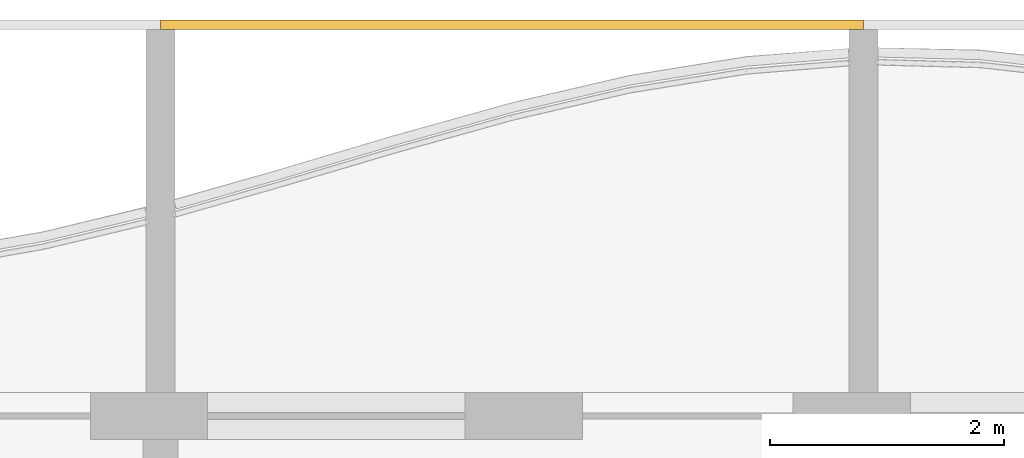
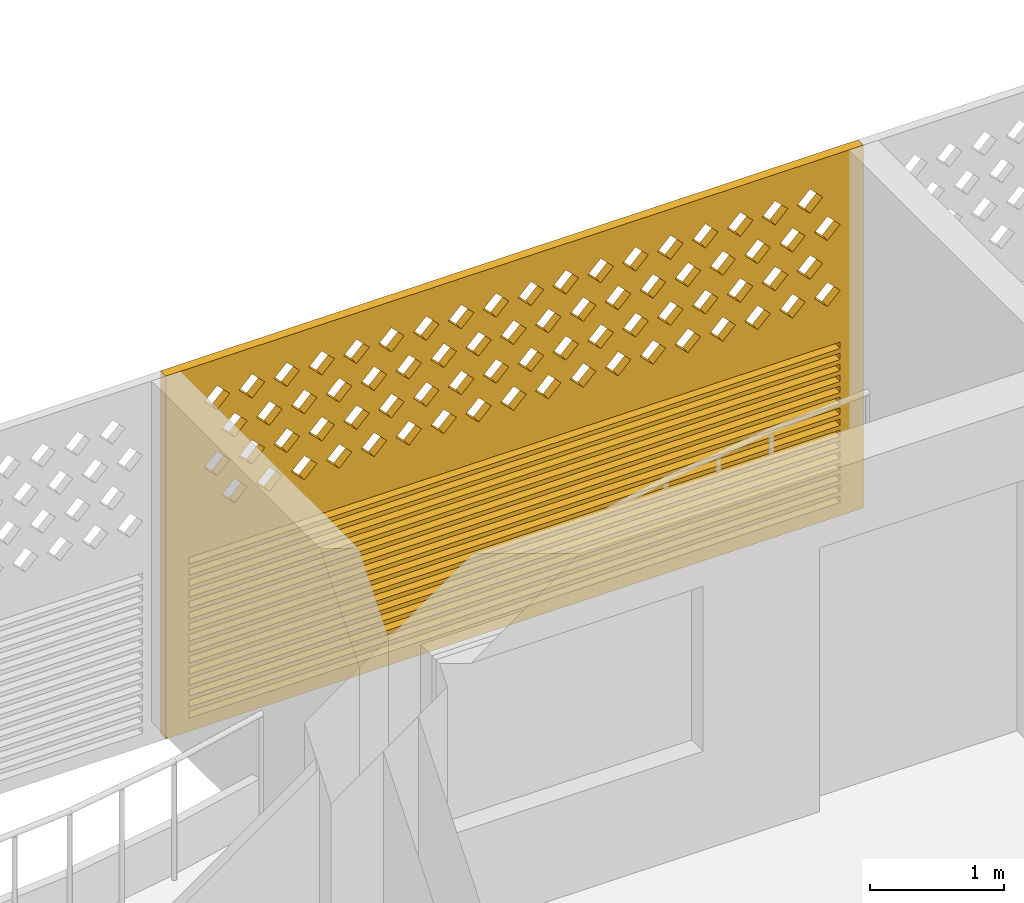
# One storey, part 22 of 32: 1 covering.
"""IFC4 building model written with IfcOpenShell, lengths in metres."""

from ifc_helpers import new_model, si_unit, direction, frame, origin, place, context, subcontext, project, spatial, polyline, outline, extrude, source, transform, mapped, material, material_profile, profile_set, type_object, element, save


model = new_model("IFC4")

# Units and contexts
model_context = context("Model", 3, precision=1e-05, world=origin(), true_north=direction((0.0, 1.0)))
body_context = subcontext(model_context, "Body", "Model", "MODEL_VIEW")
ifc_project = project(units=[si_unit("LENGTHUNIT", "METRE"), si_unit("AREAUNIT", "SQUARE_METRE"), si_unit("VOLUMEUNIT", "CUBIC_METRE"), si_unit("PLANEANGLEUNIT", "RADIAN"), si_unit("MASSUNIT", "GRAM", prefix="KILO")], contexts=[model_context])

# Site, building, storey
site_placement = place(None, origin())
site = spatial("IfcSite", under=ifc_project, at=site_placement, CompositionType="ELEMENT")
building_placement = place(site_placement, origin())
building = spatial("IfcBuilding", under=site, at=building_placement, Name="Poui Terraces", CompositionType="ELEMENT")
storey_placement = place(building_placement, frame((0.0, 0.0, 129.0)))
storey = spatial("IfcBuildingStorey", under=building, at=storey_placement, Name="L35", CompositionType="ELEMENT", Elevation=129.0)

# Covering
ifc_material = material(Name="Terracotta screen", Category="masonry")
ifc_material_profile = material_profile(ifc_material, outline(polyline([(-3.0, -1.64990234375), (3.0, -1.64990234375), (3.0, 1.64990234375), (-3.0, 1.64990234375), (-3.0, -1.64990234375)]), holes=[polyline([(-2.800048828125, 0.39990234375), (-2.68994140625, 0.2900390625), (-2.580078125, 0.39990234375), (-2.68994140625, 0.510009765625), (-2.800048828125, 0.39990234375)]), polyline([(-2.5, 0.39990234375), (-2.389892578125, 0.2900390625), (-2.280029296875, 0.39990234375), (-2.389892578125, 0.510009765625), (-2.5, 0.39990234375)]), polyline([(-2.199951171875, 0.39990234375), (-2.090087890625, 0.2900390625), (-1.97998046875, 0.39990234375), (-2.090087890625, 0.510009765625), (-2.199951171875, 0.39990234375)]), polyline([(-1.89990234375, 0.39990234375), (-1.7900390625, 0.2900390625), (-1.679931640625, 0.39990234375), (-1.7900390625, 0.510009765625), (-1.89990234375, 0.39990234375)]), polyline([(-1.60009765625, 0.39990234375), (-1.489990234375, 0.2900390625), (-1.3798828125, 0.39990234375), (-1.489990234375, 0.510009765625), (-1.60009765625, 0.39990234375)]), polyline([(-1.300048828125, 0.39990234375), (-1.18994140625, 0.2900390625), (-1.080078125, 0.39990234375), (-1.18994140625, 0.510009765625), (-1.300048828125, 0.39990234375)]), polyline([(-1.0, 0.39990234375), (-0.889892578125, 0.2900390625), (-0.780029296875, 0.39990234375), (-0.889892578125, 0.510009765625), (-1.0, 0.39990234375)]), polyline([(-0.699951171875, 0.39990234375), (-0.590087890625, 0.2900390625), (-0.47998046875, 0.39990234375), (-0.590087890625, 0.510009765625), (-0.699951171875, 0.39990234375)]), polyline([(-0.39990234375, 0.39990234375), (-0.2900390625, 0.2900390625), (-0.179931640625, 0.39990234375), (-0.2900390625, 0.510009765625), (-0.39990234375, 0.39990234375)]), polyline([(-0.10009765625, 0.39990234375), (0.010009765625, 0.2900390625), (0.1201171875, 0.39990234375), (0.010009765625, 0.510009765625), (-0.10009765625, 0.39990234375)]), polyline([(0.199951171875, 0.39990234375), (0.31005859375, 0.2900390625), (0.419921875, 0.39990234375), (0.31005859375, 0.510009765625), (0.199951171875, 0.39990234375)]), polyline([(0.5, 0.39990234375), (0.610107421875, 0.2900390625), (0.719970703125, 0.39990234375), (0.610107421875, 0.510009765625), (0.5, 0.39990234375)]), polyline([(0.800048828125, 0.39990234375), (0.909912109375, 0.2900390625), (1.02001953125, 0.39990234375), (0.909912109375, 0.510009765625), (0.800048828125, 0.39990234375)]), polyline([(1.10009765625, 0.39990234375), (1.2099609375, 0.2900390625), (1.320068359375, 0.39990234375), (1.2099609375, 0.510009765625), (1.10009765625, 0.39990234375)]), polyline([(1.39990234375, 0.39990234375), (1.510009765625, 0.2900390625), (1.6201171875, 0.39990234375), (1.510009765625, 0.510009765625), (1.39990234375, 0.39990234375)]), polyline([(1.699951171875, 0.39990234375), (1.81005859375, 0.2900390625), (1.919921875, 0.39990234375), (1.81005859375, 0.510009765625), (1.699951171875, 0.39990234375)]), polyline([(2.0, 0.39990234375), (2.110107421875, 0.2900390625), (2.219970703125, 0.39990234375), (2.110107421875, 0.510009765625), (2.0, 0.39990234375)]), polyline([(2.300048828125, 0.39990234375), (2.409912109375, 0.2900390625), (2.52001953125, 0.39990234375), (2.409912109375, 0.510009765625), (2.300048828125, 0.39990234375)]), polyline([(-2.64990234375, 0.699951171875), (-2.5400390625, 0.590087890625), (-2.429931640625, 0.699951171875), (-2.5400390625, 0.81005859375), (-2.64990234375, 0.699951171875)]), polyline([(-2.35009765625, 0.699951171875), (-2.239990234375, 0.590087890625), (-2.1298828125, 0.699951171875), (-2.239990234375, 0.81005859375), (-2.35009765625, 0.699951171875)]), polyline([(-2.050048828125, 0.699951171875), (-1.93994140625, 0.590087890625), (-1.830078125, 0.699951171875), (-1.93994140625, 0.81005859375), (-2.050048828125, 0.699951171875)]), polyline([(-1.75, 0.699951171875), (-1.639892578125, 0.590087890625), (-1.530029296875, 0.699951171875), (-1.639892578125, 0.81005859375), (-1.75, 0.699951171875)]), polyline([(-1.449951171875, 0.699951171875), (-1.340087890625, 0.590087890625), (-1.22998046875, 0.699951171875), (-1.340087890625, 0.81005859375), (-1.449951171875, 0.699951171875)]), polyline([(-1.14990234375, 0.699951171875), (-1.0400390625, 0.590087890625), (-0.929931640625, 0.699951171875), (-1.0400390625, 0.81005859375), (-1.14990234375, 0.699951171875)]), polyline([(-0.85009765625, 0.699951171875), (-0.739990234375, 0.590087890625), (-0.6298828125, 0.699951171875), (-0.739990234375, 0.81005859375), (-0.85009765625, 0.699951171875)]), polyline([(-0.550048828125, 0.699951171875), (-0.43994140625, 0.590087890625), (-0.330078125, 0.699951171875), (-0.43994140625, 0.81005859375), (-0.550048828125, 0.699951171875)]), polyline([(-0.25, 0.699951171875), (-0.139892578125, 0.590087890625), (-0.030029296875, 0.699951171875), (-0.139892578125, 0.81005859375), (-0.25, 0.699951171875)]), polyline([(0.050048828125, 0.699951171875), (0.159912109375, 0.590087890625), (0.27001953125, 0.699951171875), (0.159912109375, 0.81005859375), (0.050048828125, 0.699951171875)]), polyline([(0.35009765625, 0.699951171875), (0.4599609375, 0.590087890625), (0.570068359375, 0.699951171875), (0.4599609375, 0.81005859375), (0.35009765625, 0.699951171875)]), polyline([(0.64990234375, 0.699951171875), (0.760009765625, 0.590087890625), (0.8701171875, 0.699951171875), (0.760009765625, 0.81005859375), (0.64990234375, 0.699951171875)]), polyline([(0.949951171875, 0.699951171875), (1.06005859375, 0.590087890625), (1.169921875, 0.699951171875), (1.06005859375, 0.81005859375), (0.949951171875, 0.699951171875)]), polyline([(1.25, 0.699951171875), (1.360107421875, 0.590087890625), (1.469970703125, 0.699951171875), (1.360107421875, 0.81005859375), (1.25, 0.699951171875)]), polyline([(1.550048828125, 0.699951171875), (1.659912109375, 0.590087890625), (1.77001953125, 0.699951171875), (1.659912109375, 0.81005859375), (1.550048828125, 0.699951171875)]), polyline([(1.85009765625, 0.699951171875), (1.9599609375, 0.590087890625), (2.070068359375, 0.699951171875), (1.9599609375, 0.81005859375), (1.85009765625, 0.699951171875)]), polyline([(2.14990234375, 0.699951171875), (2.260009765625, 0.590087890625), (2.3701171875, 0.699951171875), (2.260009765625, 0.81005859375), (2.14990234375, 0.699951171875)]), polyline([(2.449951171875, 0.699951171875), (2.56005859375, 0.590087890625), (2.669921875, 0.699951171875), (2.56005859375, 0.81005859375), (2.449951171875, 0.699951171875)]), polyline([(-2.800048828125, 1.0), (-2.68994140625, 0.889892578125), (-2.580078125, 1.0), (-2.68994140625, 1.110107421875), (-2.800048828125, 1.0)]), polyline([(-2.5, 1.0), (-2.389892578125, 0.889892578125), (-2.280029296875, 1.0), (-2.389892578125, 1.110107421875), (-2.5, 1.0)]), polyline([(-2.199951171875, 1.0), (-2.090087890625, 0.889892578125), (-1.97998046875, 1.0), (-2.090087890625, 1.110107421875), (-2.199951171875, 1.0)]), polyline([(-1.89990234375, 1.0), (-1.7900390625, 0.889892578125), (-1.679931640625, 1.0), (-1.7900390625, 1.110107421875), (-1.89990234375, 1.0)]), polyline([(-1.60009765625, 1.0), (-1.489990234375, 0.889892578125), (-1.3798828125, 1.0), (-1.489990234375, 1.110107421875), (-1.60009765625, 1.0)]), polyline([(-1.300048828125, 1.0), (-1.18994140625, 0.889892578125), (-1.080078125, 1.0), (-1.18994140625, 1.110107421875), (-1.300048828125, 1.0)]), polyline([(-1.0, 1.0), (-0.889892578125, 0.889892578125), (-0.780029296875, 1.0), (-0.889892578125, 1.110107421875), (-1.0, 1.0)]), polyline([(-0.699951171875, 1.0), (-0.590087890625, 0.889892578125), (-0.47998046875, 1.0), (-0.590087890625, 1.110107421875), (-0.699951171875, 1.0)]), polyline([(-0.39990234375, 1.0), (-0.2900390625, 0.889892578125), (-0.179931640625, 1.0), (-0.2900390625, 1.110107421875), (-0.39990234375, 1.0)]), polyline([(-0.10009765625, 1.0), (0.010009765625, 0.889892578125), (0.1201171875, 1.0), (0.010009765625, 1.110107421875), (-0.10009765625, 1.0)]), polyline([(0.199951171875, 1.0), (0.31005859375, 0.889892578125), (0.419921875, 1.0), (0.31005859375, 1.110107421875), (0.199951171875, 1.0)]), polyline([(0.5, 1.0), (0.610107421875, 0.889892578125), (0.719970703125, 1.0), (0.610107421875, 1.110107421875), (0.5, 1.0)]), polyline([(0.800048828125, 1.0), (0.909912109375, 0.889892578125), (1.02001953125, 1.0), (0.909912109375, 1.110107421875), (0.800048828125, 1.0)]), polyline([(1.10009765625, 1.0), (1.2099609375, 0.889892578125), (1.320068359375, 1.0), (1.2099609375, 1.110107421875), (1.10009765625, 1.0)]), polyline([(1.39990234375, 1.0), (1.510009765625, 0.889892578125), (1.6201171875, 1.0), (1.510009765625, 1.110107421875), (1.39990234375, 1.0)]), polyline([(1.699951171875, 1.0), (1.81005859375, 0.889892578125), (1.919921875, 1.0), (1.81005859375, 1.110107421875), (1.699951171875, 1.0)]), polyline([(2.0, 1.0), (2.110107421875, 0.889892578125), (2.219970703125, 1.0), (2.110107421875, 1.110107421875), (2.0, 1.0)]), polyline([(2.300048828125, 1.0), (2.409912109375, 0.889892578125), (2.52001953125, 1.0), (2.409912109375, 1.110107421875), (2.300048828125, 1.0)]), polyline([(-2.64990234375, 1.300048828125), (-2.5400390625, 1.18994140625), (-2.429931640625, 1.300048828125), (-2.5400390625, 1.409912109375), (-2.64990234375, 1.300048828125)]), polyline([(-2.35009765625, 1.300048828125), (-2.239990234375, 1.18994140625), (-2.1298828125, 1.300048828125), (-2.239990234375, 1.409912109375), (-2.35009765625, 1.300048828125)]), polyline([(-2.050048828125, 1.300048828125), (-1.93994140625, 1.18994140625), (-1.830078125, 1.300048828125), (-1.93994140625, 1.409912109375), (-2.050048828125, 1.300048828125)]), polyline([(-1.75, 1.300048828125), (-1.639892578125, 1.18994140625), (-1.530029296875, 1.300048828125), (-1.639892578125, 1.409912109375), (-1.75, 1.300048828125)]), polyline([(-1.449951171875, 1.300048828125), (-1.340087890625, 1.18994140625), (-1.22998046875, 1.300048828125), (-1.340087890625, 1.409912109375), (-1.449951171875, 1.300048828125)]), polyline([(-1.14990234375, 1.300048828125), (-1.0400390625, 1.18994140625), (-0.929931640625, 1.300048828125), (-1.0400390625, 1.409912109375), (-1.14990234375, 1.300048828125)]), polyline([(-0.85009765625, 1.300048828125), (-0.739990234375, 1.18994140625), (-0.6298828125, 1.300048828125), (-0.739990234375, 1.409912109375), (-0.85009765625, 1.300048828125)]), polyline([(-0.550048828125, 1.300048828125), (-0.43994140625, 1.18994140625), (-0.330078125, 1.300048828125), (-0.43994140625, 1.409912109375), (-0.550048828125, 1.300048828125)]), polyline([(-0.25, 1.300048828125), (-0.139892578125, 1.18994140625), (-0.030029296875, 1.300048828125), (-0.139892578125, 1.409912109375), (-0.25, 1.300048828125)]), polyline([(0.050048828125, 1.300048828125), (0.159912109375, 1.18994140625), (0.27001953125, 1.300048828125), (0.159912109375, 1.409912109375), (0.050048828125, 1.300048828125)]), polyline([(0.35009765625, 1.300048828125), (0.4599609375, 1.18994140625), (0.570068359375, 1.300048828125), (0.4599609375, 1.409912109375), (0.35009765625, 1.300048828125)]), polyline([(0.64990234375, 1.300048828125), (0.760009765625, 1.18994140625), (0.8701171875, 1.300048828125), (0.760009765625, 1.409912109375), (0.64990234375, 1.300048828125)]), polyline([(0.949951171875, 1.300048828125), (1.06005859375, 1.18994140625), (1.169921875, 1.300048828125), (1.06005859375, 1.409912109375), (0.949951171875, 1.300048828125)]), polyline([(1.25, 1.300048828125), (1.360107421875, 1.18994140625), (1.469970703125, 1.300048828125), (1.360107421875, 1.409912109375), (1.25, 1.300048828125)]), polyline([(1.550048828125, 1.300048828125), (1.659912109375, 1.18994140625), (1.77001953125, 1.300048828125), (1.659912109375, 1.409912109375), (1.550048828125, 1.300048828125)]), polyline([(1.85009765625, 1.300048828125), (1.9599609375, 1.18994140625), (2.070068359375, 1.300048828125), (1.9599609375, 1.409912109375), (1.85009765625, 1.300048828125)]), polyline([(2.14990234375, 1.300048828125), (2.260009765625, 1.18994140625), (2.3701171875, 1.300048828125), (2.260009765625, 1.409912109375), (2.14990234375, 1.300048828125)]), polyline([(2.449951171875, 1.300048828125), (2.56005859375, 1.18994140625), (2.669921875, 1.300048828125), (2.56005859375, 1.409912109375), (2.449951171875, 1.300048828125)]), polyline([(-2.800048828125, -1.530029296875), (2.800048828125, -1.530029296875), (2.800048828125, -1.469970703125), (-2.800048828125, -1.469970703125), (-2.800048828125, -1.530029296875)]), polyline([(-2.800048828125, -1.429931640625), (2.800048828125, -1.429931640625), (2.800048828125, -1.3701171875), (-2.800048828125, -1.3701171875), (-2.800048828125, -1.429931640625)]), polyline([(-2.800048828125, -1.330078125), (2.800048828125, -1.330078125), (2.800048828125, -1.27001953125), (-2.800048828125, -1.27001953125), (-2.800048828125, -1.330078125)]), polyline([(-2.800048828125, -1.22998046875), (2.800048828125, -1.22998046875), (2.800048828125, -1.169921875), (-2.800048828125, -1.169921875), (-2.800048828125, -1.22998046875)]), polyline([(-2.800048828125, -1.1298828125), (2.800048828125, -1.1298828125), (2.800048828125, -1.070068359375), (-2.800048828125, -1.070068359375), (-2.800048828125, -1.1298828125)]), polyline([(-2.800048828125, -1.030029296875), (2.800048828125, -1.030029296875), (2.800048828125, -0.969970703125), (-2.800048828125, -0.969970703125), (-2.800048828125, -1.030029296875)]), polyline([(-2.800048828125, -0.929931640625), (2.800048828125, -0.929931640625), (2.800048828125, -0.8701171875), (-2.800048828125, -0.8701171875), (-2.800048828125, -0.929931640625)]), polyline([(-2.800048828125, -0.830078125), (2.800048828125, -0.830078125), (2.800048828125, -0.77001953125), (-2.800048828125, -0.77001953125), (-2.800048828125, -0.830078125)]), polyline([(-2.800048828125, -0.72998046875), (2.800048828125, -0.72998046875), (2.800048828125, -0.669921875), (-2.800048828125, -0.669921875), (-2.800048828125, -0.72998046875)]), polyline([(-2.800048828125, -0.6298828125), (2.800048828125, -0.6298828125), (2.800048828125, -0.570068359375), (-2.800048828125, -0.570068359375), (-2.800048828125, -0.6298828125)]), polyline([(-2.800048828125, -0.530029296875), (2.800048828125, -0.530029296875), (2.800048828125, -0.469970703125), (-2.800048828125, -0.469970703125), (-2.800048828125, -0.530029296875)]), polyline([(-2.800048828125, -0.429931640625), (2.800048828125, -0.429931640625), (2.800048828125, -0.3701171875), (-2.800048828125, -0.3701171875), (-2.800048828125, -0.429931640625)]), polyline([(-2.800048828125, -0.330078125), (2.800048828125, -0.330078125), (2.800048828125, -0.27001953125), (-2.800048828125, -0.27001953125), (-2.800048828125, -0.330078125)]), polyline([(-2.800048828125, -0.22998046875), (2.800048828125, -0.22998046875), (2.800048828125, -0.169921875), (-2.800048828125, -0.169921875), (-2.800048828125, -0.22998046875)]), polyline([(-2.800048828125, -0.1298828125), (2.800048828125, -0.1298828125), (2.800048828125, -0.070068359375), (-2.800048828125, -0.070068359375), (-2.800048828125, -0.1298828125)])]), Name="TERRACOTTA SCREEN AND JALOUSIE LOUVRE 6000X3300")
ifc_profile_set = profile_set([ifc_material_profile], Name="Terracotta screen")
covering_type = type_object("IfcCoveringType", Name="TERRACOTTA SCREEN AND JALOUSIE LOUVRE 6000X3300", PredefinedType="CLADDING", material=ifc_profile_set)
shared_shape = source(origin(), body_context, "Body", "SweptSolid", [
    extrude(outline(polyline([(-3.0, -1.64990234375), (3.0, -1.64990234375), (3.0, 1.64990234375), (-3.0, 1.64990234375), (-3.0, -1.64990234375)]), holes=[polyline([(-2.800048828125, 0.39990234375), (-2.68994140625, 0.2900390625), (-2.580078125, 0.39990234375), (-2.68994140625, 0.510009765625), (-2.800048828125, 0.39990234375)]), polyline([(-2.5, 0.39990234375), (-2.389892578125, 0.2900390625), (-2.280029296875, 0.39990234375), (-2.389892578125, 0.510009765625), (-2.5, 0.39990234375)]), polyline([(-2.199951171875, 0.39990234375), (-2.090087890625, 0.2900390625), (-1.97998046875, 0.39990234375), (-2.090087890625, 0.510009765625), (-2.199951171875, 0.39990234375)]), polyline([(-1.89990234375, 0.39990234375), (-1.7900390625, 0.2900390625), (-1.679931640625, 0.39990234375), (-1.7900390625, 0.510009765625), (-1.89990234375, 0.39990234375)]), polyline([(-1.60009765625, 0.39990234375), (-1.489990234375, 0.2900390625), (-1.3798828125, 0.39990234375), (-1.489990234375, 0.510009765625), (-1.60009765625, 0.39990234375)]), polyline([(-1.300048828125, 0.39990234375), (-1.18994140625, 0.2900390625), (-1.080078125, 0.39990234375), (-1.18994140625, 0.510009765625), (-1.300048828125, 0.39990234375)]), polyline([(-1.0, 0.39990234375), (-0.889892578125, 0.2900390625), (-0.780029296875, 0.39990234375), (-0.889892578125, 0.510009765625), (-1.0, 0.39990234375)]), polyline([(-0.699951171875, 0.39990234375), (-0.590087890625, 0.2900390625), (-0.47998046875, 0.39990234375), (-0.590087890625, 0.510009765625), (-0.699951171875, 0.39990234375)]), polyline([(-0.39990234375, 0.39990234375), (-0.2900390625, 0.2900390625), (-0.179931640625, 0.39990234375), (-0.2900390625, 0.510009765625), (-0.39990234375, 0.39990234375)]), polyline([(-0.10009765625, 0.39990234375), (0.010009765625, 0.2900390625), (0.1201171875, 0.39990234375), (0.010009765625, 0.510009765625), (-0.10009765625, 0.39990234375)]), polyline([(0.199951171875, 0.39990234375), (0.31005859375, 0.2900390625), (0.419921875, 0.39990234375), (0.31005859375, 0.510009765625), (0.199951171875, 0.39990234375)]), polyline([(0.5, 0.39990234375), (0.610107421875, 0.2900390625), (0.719970703125, 0.39990234375), (0.610107421875, 0.510009765625), (0.5, 0.39990234375)]), polyline([(0.800048828125, 0.39990234375), (0.909912109375, 0.2900390625), (1.02001953125, 0.39990234375), (0.909912109375, 0.510009765625), (0.800048828125, 0.39990234375)]), polyline([(1.10009765625, 0.39990234375), (1.2099609375, 0.2900390625), (1.320068359375, 0.39990234375), (1.2099609375, 0.510009765625), (1.10009765625, 0.39990234375)]), polyline([(1.39990234375, 0.39990234375), (1.510009765625, 0.2900390625), (1.6201171875, 0.39990234375), (1.510009765625, 0.510009765625), (1.39990234375, 0.39990234375)]), polyline([(1.699951171875, 0.39990234375), (1.81005859375, 0.2900390625), (1.919921875, 0.39990234375), (1.81005859375, 0.510009765625), (1.699951171875, 0.39990234375)]), polyline([(2.0, 0.39990234375), (2.110107421875, 0.2900390625), (2.219970703125, 0.39990234375), (2.110107421875, 0.510009765625), (2.0, 0.39990234375)]), polyline([(2.300048828125, 0.39990234375), (2.409912109375, 0.2900390625), (2.52001953125, 0.39990234375), (2.409912109375, 0.510009765625), (2.300048828125, 0.39990234375)]), polyline([(-2.64990234375, 0.699951171875), (-2.5400390625, 0.590087890625), (-2.429931640625, 0.699951171875), (-2.5400390625, 0.81005859375), (-2.64990234375, 0.699951171875)]), polyline([(-2.35009765625, 0.699951171875), (-2.239990234375, 0.590087890625), (-2.1298828125, 0.699951171875), (-2.239990234375, 0.81005859375), (-2.35009765625, 0.699951171875)]), polyline([(-2.050048828125, 0.699951171875), (-1.93994140625, 0.590087890625), (-1.830078125, 0.699951171875), (-1.93994140625, 0.81005859375), (-2.050048828125, 0.699951171875)]), polyline([(-1.75, 0.699951171875), (-1.639892578125, 0.590087890625), (-1.530029296875, 0.699951171875), (-1.639892578125, 0.81005859375), (-1.75, 0.699951171875)]), polyline([(-1.449951171875, 0.699951171875), (-1.340087890625, 0.590087890625), (-1.22998046875, 0.699951171875), (-1.340087890625, 0.81005859375), (-1.449951171875, 0.699951171875)]), polyline([(-1.14990234375, 0.699951171875), (-1.0400390625, 0.590087890625), (-0.929931640625, 0.699951171875), (-1.0400390625, 0.81005859375), (-1.14990234375, 0.699951171875)]), polyline([(-0.85009765625, 0.699951171875), (-0.739990234375, 0.590087890625), (-0.6298828125, 0.699951171875), (-0.739990234375, 0.81005859375), (-0.85009765625, 0.699951171875)]), polyline([(-0.550048828125, 0.699951171875), (-0.43994140625, 0.590087890625), (-0.330078125, 0.699951171875), (-0.43994140625, 0.81005859375), (-0.550048828125, 0.699951171875)]), polyline([(-0.25, 0.699951171875), (-0.139892578125, 0.590087890625), (-0.030029296875, 0.699951171875), (-0.139892578125, 0.81005859375), (-0.25, 0.699951171875)]), polyline([(0.050048828125, 0.699951171875), (0.159912109375, 0.590087890625), (0.27001953125, 0.699951171875), (0.159912109375, 0.81005859375), (0.050048828125, 0.699951171875)]), polyline([(0.35009765625, 0.699951171875), (0.4599609375, 0.590087890625), (0.570068359375, 0.699951171875), (0.4599609375, 0.81005859375), (0.35009765625, 0.699951171875)]), polyline([(0.64990234375, 0.699951171875), (0.760009765625, 0.590087890625), (0.8701171875, 0.699951171875), (0.760009765625, 0.81005859375), (0.64990234375, 0.699951171875)]), polyline([(0.949951171875, 0.699951171875), (1.06005859375, 0.590087890625), (1.169921875, 0.699951171875), (1.06005859375, 0.81005859375), (0.949951171875, 0.699951171875)]), polyline([(1.25, 0.699951171875), (1.360107421875, 0.590087890625), (1.469970703125, 0.699951171875), (1.360107421875, 0.81005859375), (1.25, 0.699951171875)]), polyline([(1.550048828125, 0.699951171875), (1.659912109375, 0.590087890625), (1.77001953125, 0.699951171875), (1.659912109375, 0.81005859375), (1.550048828125, 0.699951171875)]), polyline([(1.85009765625, 0.699951171875), (1.9599609375, 0.590087890625), (2.070068359375, 0.699951171875), (1.9599609375, 0.81005859375), (1.85009765625, 0.699951171875)]), polyline([(2.14990234375, 0.699951171875), (2.260009765625, 0.590087890625), (2.3701171875, 0.699951171875), (2.260009765625, 0.81005859375), (2.14990234375, 0.699951171875)]), polyline([(2.449951171875, 0.699951171875), (2.56005859375, 0.590087890625), (2.669921875, 0.699951171875), (2.56005859375, 0.81005859375), (2.449951171875, 0.699951171875)]), polyline([(-2.800048828125, 1.0), (-2.68994140625, 0.889892578125), (-2.580078125, 1.0), (-2.68994140625, 1.110107421875), (-2.800048828125, 1.0)]), polyline([(-2.5, 1.0), (-2.389892578125, 0.889892578125), (-2.280029296875, 1.0), (-2.389892578125, 1.110107421875), (-2.5, 1.0)]), polyline([(-2.199951171875, 1.0), (-2.090087890625, 0.889892578125), (-1.97998046875, 1.0), (-2.090087890625, 1.110107421875), (-2.199951171875, 1.0)]), polyline([(-1.89990234375, 1.0), (-1.7900390625, 0.889892578125), (-1.679931640625, 1.0), (-1.7900390625, 1.110107421875), (-1.89990234375, 1.0)]), polyline([(-1.60009765625, 1.0), (-1.489990234375, 0.889892578125), (-1.3798828125, 1.0), (-1.489990234375, 1.110107421875), (-1.60009765625, 1.0)]), polyline([(-1.300048828125, 1.0), (-1.18994140625, 0.889892578125), (-1.080078125, 1.0), (-1.18994140625, 1.110107421875), (-1.300048828125, 1.0)]), polyline([(-1.0, 1.0), (-0.889892578125, 0.889892578125), (-0.780029296875, 1.0), (-0.889892578125, 1.110107421875), (-1.0, 1.0)]), polyline([(-0.699951171875, 1.0), (-0.590087890625, 0.889892578125), (-0.47998046875, 1.0), (-0.590087890625, 1.110107421875), (-0.699951171875, 1.0)]), polyline([(-0.39990234375, 1.0), (-0.2900390625, 0.889892578125), (-0.179931640625, 1.0), (-0.2900390625, 1.110107421875), (-0.39990234375, 1.0)]), polyline([(-0.10009765625, 1.0), (0.010009765625, 0.889892578125), (0.1201171875, 1.0), (0.010009765625, 1.110107421875), (-0.10009765625, 1.0)]), polyline([(0.199951171875, 1.0), (0.31005859375, 0.889892578125), (0.419921875, 1.0), (0.31005859375, 1.110107421875), (0.199951171875, 1.0)]), polyline([(0.5, 1.0), (0.610107421875, 0.889892578125), (0.719970703125, 1.0), (0.610107421875, 1.110107421875), (0.5, 1.0)]), polyline([(0.800048828125, 1.0), (0.909912109375, 0.889892578125), (1.02001953125, 1.0), (0.909912109375, 1.110107421875), (0.800048828125, 1.0)]), polyline([(1.10009765625, 1.0), (1.2099609375, 0.889892578125), (1.320068359375, 1.0), (1.2099609375, 1.110107421875), (1.10009765625, 1.0)]), polyline([(1.39990234375, 1.0), (1.510009765625, 0.889892578125), (1.6201171875, 1.0), (1.510009765625, 1.110107421875), (1.39990234375, 1.0)]), polyline([(1.699951171875, 1.0), (1.81005859375, 0.889892578125), (1.919921875, 1.0), (1.81005859375, 1.110107421875), (1.699951171875, 1.0)]), polyline([(2.0, 1.0), (2.110107421875, 0.889892578125), (2.219970703125, 1.0), (2.110107421875, 1.110107421875), (2.0, 1.0)]), polyline([(2.300048828125, 1.0), (2.409912109375, 0.889892578125), (2.52001953125, 1.0), (2.409912109375, 1.110107421875), (2.300048828125, 1.0)]), polyline([(-2.64990234375, 1.300048828125), (-2.5400390625, 1.18994140625), (-2.429931640625, 1.300048828125), (-2.5400390625, 1.409912109375), (-2.64990234375, 1.300048828125)]), polyline([(-2.35009765625, 1.300048828125), (-2.239990234375, 1.18994140625), (-2.1298828125, 1.300048828125), (-2.239990234375, 1.409912109375), (-2.35009765625, 1.300048828125)]), polyline([(-2.050048828125, 1.300048828125), (-1.93994140625, 1.18994140625), (-1.830078125, 1.300048828125), (-1.93994140625, 1.409912109375), (-2.050048828125, 1.300048828125)]), polyline([(-1.75, 1.300048828125), (-1.639892578125, 1.18994140625), (-1.530029296875, 1.300048828125), (-1.639892578125, 1.409912109375), (-1.75, 1.300048828125)]), polyline([(-1.449951171875, 1.300048828125), (-1.340087890625, 1.18994140625), (-1.22998046875, 1.300048828125), (-1.340087890625, 1.409912109375), (-1.449951171875, 1.300048828125)]), polyline([(-1.14990234375, 1.300048828125), (-1.0400390625, 1.18994140625), (-0.929931640625, 1.300048828125), (-1.0400390625, 1.409912109375), (-1.14990234375, 1.300048828125)]), polyline([(-0.85009765625, 1.300048828125), (-0.739990234375, 1.18994140625), (-0.6298828125, 1.300048828125), (-0.739990234375, 1.409912109375), (-0.85009765625, 1.300048828125)]), polyline([(-0.550048828125, 1.300048828125), (-0.43994140625, 1.18994140625), (-0.330078125, 1.300048828125), (-0.43994140625, 1.409912109375), (-0.550048828125, 1.300048828125)]), polyline([(-0.25, 1.300048828125), (-0.139892578125, 1.18994140625), (-0.030029296875, 1.300048828125), (-0.139892578125, 1.409912109375), (-0.25, 1.300048828125)]), polyline([(0.050048828125, 1.300048828125), (0.159912109375, 1.18994140625), (0.27001953125, 1.300048828125), (0.159912109375, 1.409912109375), (0.050048828125, 1.300048828125)]), polyline([(0.35009765625, 1.300048828125), (0.4599609375, 1.18994140625), (0.570068359375, 1.300048828125), (0.4599609375, 1.409912109375), (0.35009765625, 1.300048828125)]), polyline([(0.64990234375, 1.300048828125), (0.760009765625, 1.18994140625), (0.8701171875, 1.300048828125), (0.760009765625, 1.409912109375), (0.64990234375, 1.300048828125)]), polyline([(0.949951171875, 1.300048828125), (1.06005859375, 1.18994140625), (1.169921875, 1.300048828125), (1.06005859375, 1.409912109375), (0.949951171875, 1.300048828125)]), polyline([(1.25, 1.300048828125), (1.360107421875, 1.18994140625), (1.469970703125, 1.300048828125), (1.360107421875, 1.409912109375), (1.25, 1.300048828125)]), polyline([(1.550048828125, 1.300048828125), (1.659912109375, 1.18994140625), (1.77001953125, 1.300048828125), (1.659912109375, 1.409912109375), (1.550048828125, 1.300048828125)]), polyline([(1.85009765625, 1.300048828125), (1.9599609375, 1.18994140625), (2.070068359375, 1.300048828125), (1.9599609375, 1.409912109375), (1.85009765625, 1.300048828125)]), polyline([(2.14990234375, 1.300048828125), (2.260009765625, 1.18994140625), (2.3701171875, 1.300048828125), (2.260009765625, 1.409912109375), (2.14990234375, 1.300048828125)]), polyline([(2.449951171875, 1.300048828125), (2.56005859375, 1.18994140625), (2.669921875, 1.300048828125), (2.56005859375, 1.409912109375), (2.449951171875, 1.300048828125)]), polyline([(-2.800048828125, -1.530029296875), (2.800048828125, -1.530029296875), (2.800048828125, -1.469970703125), (-2.800048828125, -1.469970703125), (-2.800048828125, -1.530029296875)]), polyline([(-2.800048828125, -1.429931640625), (2.800048828125, -1.429931640625), (2.800048828125, -1.3701171875), (-2.800048828125, -1.3701171875), (-2.800048828125, -1.429931640625)]), polyline([(-2.800048828125, -1.330078125), (2.800048828125, -1.330078125), (2.800048828125, -1.27001953125), (-2.800048828125, -1.27001953125), (-2.800048828125, -1.330078125)]), polyline([(-2.800048828125, -1.22998046875), (2.800048828125, -1.22998046875), (2.800048828125, -1.169921875), (-2.800048828125, -1.169921875), (-2.800048828125, -1.22998046875)]), polyline([(-2.800048828125, -1.1298828125), (2.800048828125, -1.1298828125), (2.800048828125, -1.070068359375), (-2.800048828125, -1.070068359375), (-2.800048828125, -1.1298828125)]), polyline([(-2.800048828125, -1.030029296875), (2.800048828125, -1.030029296875), (2.800048828125, -0.969970703125), (-2.800048828125, -0.969970703125), (-2.800048828125, -1.030029296875)]), polyline([(-2.800048828125, -0.929931640625), (2.800048828125, -0.929931640625), (2.800048828125, -0.8701171875), (-2.800048828125, -0.8701171875), (-2.800048828125, -0.929931640625)]), polyline([(-2.800048828125, -0.830078125), (2.800048828125, -0.830078125), (2.800048828125, -0.77001953125), (-2.800048828125, -0.77001953125), (-2.800048828125, -0.830078125)]), polyline([(-2.800048828125, -0.72998046875), (2.800048828125, -0.72998046875), (2.800048828125, -0.669921875), (-2.800048828125, -0.669921875), (-2.800048828125, -0.72998046875)]), polyline([(-2.800048828125, -0.6298828125), (2.800048828125, -0.6298828125), (2.800048828125, -0.570068359375), (-2.800048828125, -0.570068359375), (-2.800048828125, -0.6298828125)]), polyline([(-2.800048828125, -0.530029296875), (2.800048828125, -0.530029296875), (2.800048828125, -0.469970703125), (-2.800048828125, -0.469970703125), (-2.800048828125, -0.530029296875)]), polyline([(-2.800048828125, -0.429931640625), (2.800048828125, -0.429931640625), (2.800048828125, -0.3701171875), (-2.800048828125, -0.3701171875), (-2.800048828125, -0.429931640625)]), polyline([(-2.800048828125, -0.330078125), (2.800048828125, -0.330078125), (2.800048828125, -0.27001953125), (-2.800048828125, -0.27001953125), (-2.800048828125, -0.330078125)]), polyline([(-2.800048828125, -0.22998046875), (2.800048828125, -0.22998046875), (2.800048828125, -0.169921875), (-2.800048828125, -0.169921875), (-2.800048828125, -0.22998046875)]), polyline([(-2.800048828125, -0.1298828125), (2.800048828125, -0.1298828125), (2.800048828125, -0.070068359375), (-2.800048828125, -0.070068359375), (-2.800048828125, -0.1298828125)])]), origin(), (0.0, 0.0, 1.0), 0.080078125),
])
covering_placement = place(storey_placement, frame((33.0, 45.699951171875, 1.449951171875), z_axis=(0.0, 1.0, 0.0), x_axis=(-1.0, 0.0, 0.0)))
element("IfcCovering", 1, at=covering_placement, inside=storey, type_object=covering_type, Name="SOLAR SCREEN AND JALOUSIE LOUVRE", PredefinedType="CLADDING", context=body_context, shape_type="MappedRepresentation", body=[
    mapped(shared_shape, transform((0.0, 0.0, 0.0))),
])

save(model, "model.ifc")
